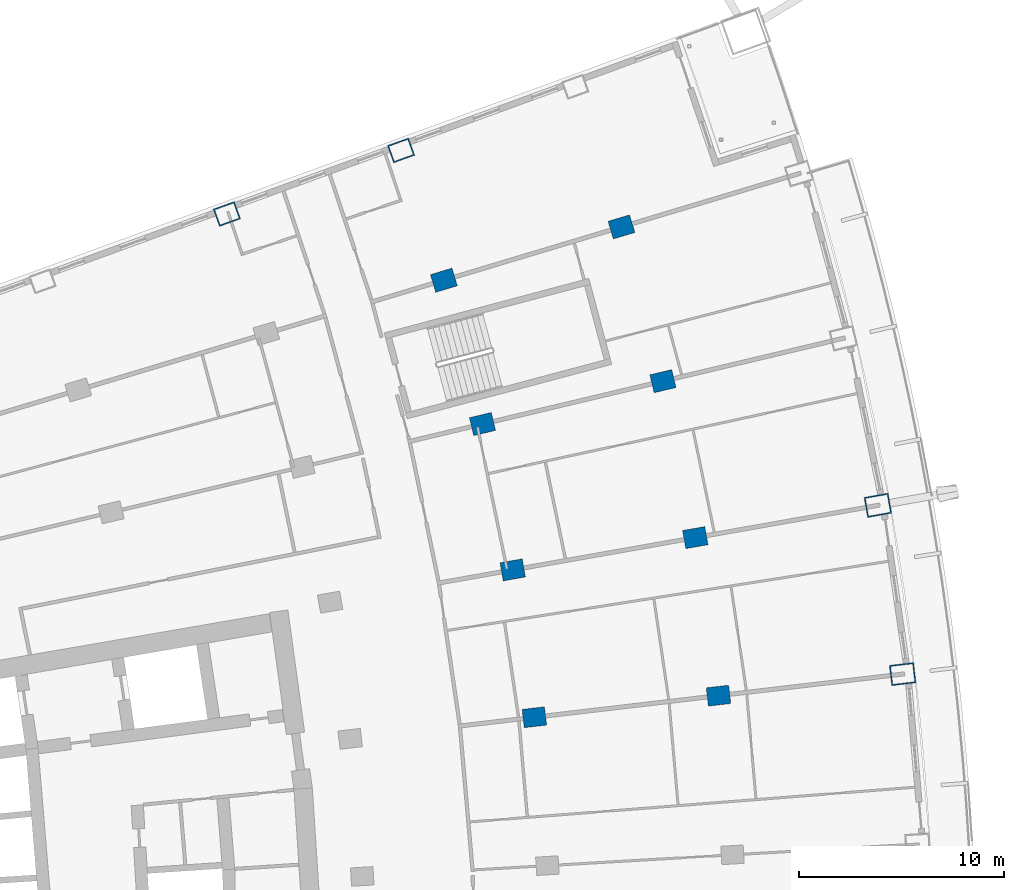
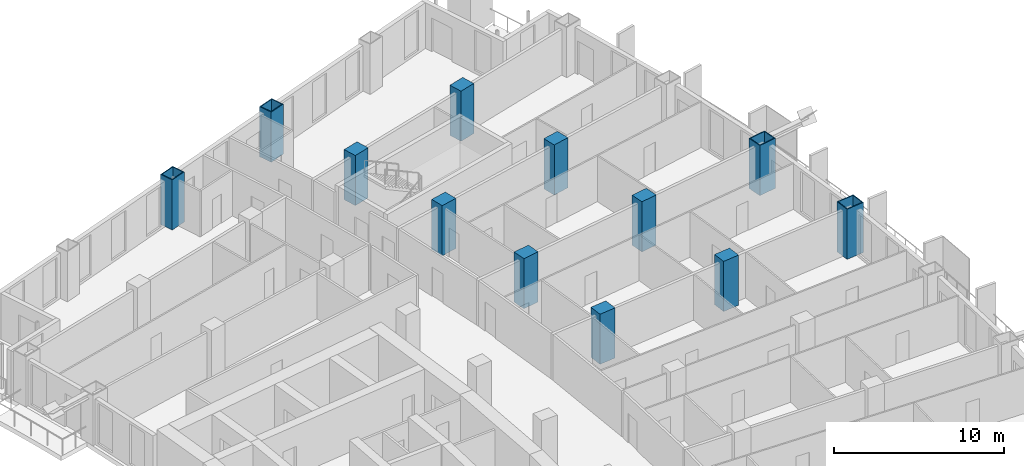
# One storey, part 7 of 22: 12 columns.
"""IFC4 building model written with IfcOpenShell, lengths in metres."""

from ifc_helpers import new_model, si_unit, direction, frame, origin, origin_2d, place, context, subcontext, project, spatial, rectangle, hollow_rectangle, extrude, material, material_profile, profile_set, type_object, element, save


model = new_model("IFC4")

# Units and contexts
model_context = context("Model", 3, precision=1e-05, world=origin(), true_north=direction((0.0, 1.0)))
body_context = subcontext(model_context, "Body", "Model", "MODEL_VIEW")
ifc_project = project(units=[si_unit("LENGTHUNIT", "METRE"), si_unit("AREAUNIT", "SQUARE_METRE"), si_unit("VOLUMEUNIT", "CUBIC_METRE"), si_unit("PLANEANGLEUNIT", "RADIAN"), si_unit("MASSUNIT", "GRAM", prefix="KILO")], contexts=[model_context])

# Site, building, storey
site_placement = place(None, origin())
site = spatial("IfcSite", under=ifc_project, at=site_placement, CompositionType="ELEMENT")
building_placement = place(site_placement, origin())
building = spatial("IfcBuilding", under=site, at=building_placement, Name="Alderwake Tower", CompositionType="ELEMENT")
storey_placement = place(building_placement, frame((0.0, 0.0, 50.0)))
storey = spatial("IfcBuildingStorey", under=building, at=storey_placement, Name="L11", CompositionType="ELEMENT", Elevation=50.0)

# Columns
ifc_material_1 = material(Name="Steel ASTM A572 Grade 50 concrete filled C70/85", Category="concrete")
ifc_material_profile_1 = material_profile(ifc_material_1, hollow_rectangle(XDim=0.89990234375, YDim=1.10009765625, WallThickness=0.06005859375, at=origin_2d()), Name="BOX 1100X900X60")
ifc_profile_set_1 = profile_set([ifc_material_profile_1], Name="Steel ASTM A572 Grade 50 concrete filled C70/85")
column_type_1 = type_object("IfcColumnType", Name="End column Z1", PredefinedType="COLUMN", material=ifc_profile_set_1)
for number, where, z_axis, x_axis, name in (
    (1, (28.983642578125, 100.143310546875, 0.0), (0.0, 0.0, 1.0), (-0.338026774049, 0.941136493834, 0.0), "Column R13-C2"),
    (2, (37.500732421875, 103.25244140625, 0.0), (0.0, 0.0, 1.0), (-0.338379907748, 0.941009584453, 0.0), "Column R13-C3"),
):
    element("IfcColumn", number, at=place(storey_placement, frame(where, z_axis=z_axis, x_axis=x_axis)), inside=storey, type_object=column_type_1, Name=name, PredefinedType="COLUMN", context=body_context, shape_type="SweptSolid", body=[
        extrude(hollow_rectangle(XDim=0.89990234375, YDim=1.10009765625, WallThickness=0.06005859375, at=origin_2d()), origin(), (0.0, 0.0, 1.0), 3.60009765625),
    ])
ifc_material_2 = material(Name="Concrete C70/85", Category="concrete")
ifc_material_profile_2 = material_profile(ifc_material_2, rectangle(XDim=0.89990234375, YDim=1.10009765625, at=origin_2d()), Name="RC 1100X900")
ifc_profile_set_2 = profile_set([ifc_material_profile_2], Name="Concrete C70/85")
column_type_2 = type_object("IfcColumnType", Name="Interior column Z1", PredefinedType="COLUMN", material=ifc_profile_set_2)
for number, where, z_axis, x_axis, name in (
    (3, (44.017822265625, 75.534912109375, 0.0), (0.0, 0.0, 1.0), (-0.116402054316, 0.993202175668, 0.0), "Column R09-C3"),
    (4, (53.022705078125, 76.590087890625, 0.0), (0.0, 0.0, 1.0), (-0.116402054316, 0.993202175668, 0.0), "Column R09-C4"),
    (5, (42.959716796875, 82.740234375, 0.0), (0.0, 0.0, 1.0), (-0.174108800747, 0.984726421654, 0.0), "Column R10-C3"),
    (6, (51.8876953125, 84.31884765625, 0.0), (0.0, 0.0, 1.0), (-0.174108800747, 0.984726421654, 0.0), "Column R10-C4"),
    (7, (41.48291015625, 89.871826171875, 0.0), (0.0, 0.0, 1.0), (-0.231221547198, 0.972901123502, 0.0), "Column R11-C3"),
    (8, (50.3037109375, 91.96826171875, 0.0), (0.0, 0.0, 1.0), (-0.231221547198, 0.972901123502, 0.0), "Column R11-C4"),
    (9, (39.593017578125, 96.9052734375, 0.0), (0.0, 0.0, 1.0), (-0.287549418125, 0.957765802342, 0.0), "Column R12-C3"),
    (10, (48.27685546875, 99.512451171875, 0.0), (0.0, 0.0, 1.0), (-0.287549418125, 0.957765802342, 0.0), "Column R12-C4"),
):
    element("IfcColumn", number, at=place(storey_placement, frame(where, z_axis=z_axis, x_axis=x_axis)), inside=storey, type_object=column_type_2, Name=name, PredefinedType="COLUMN", context=body_context, shape_type="SweptSolid", body=[
        extrude(rectangle(XDim=0.89990234375, YDim=1.10009765625, at=origin_2d()), origin(), (0.0, 0.0, 1.0), 3.60009765625),
    ])
ifc_material_3 = material(Name="Steel ASTM A572 Grade 50 concrete filled C70/85", Category="concrete")
ifc_material_profile_3 = material_profile(ifc_material_3, hollow_rectangle(XDim=1.0, YDim=1.199951171875, WallThickness=0.06005859375, at=origin_2d()), Name="BOX 1200X1000X60")
ifc_profile_set_3 = profile_set([ifc_material_profile_3], Name="Steel ASTM A572 Grade 50 concrete filled C70/85")
column_type_3 = type_object("IfcColumnType", Name="Perimeter column Z1", PredefinedType="COLUMN", material=ifc_profile_set_3)
for number, where, z_axis, x_axis, name in (
    (11, (62.02783203125, 77.6455078125, 0.0), (0.0, 0.0, 1.0), (-0.116402054316, 0.993202175668, 0.0), "Column R09-C5"),
    (12, (60.81591796875, 85.8974609375, 0.0), (0.0, 0.0, 1.0), (-0.174108800747, 0.984726421654, 0.0), "Column R10-C5"),
):
    element("IfcColumn", number, at=place(storey_placement, frame(where, z_axis=z_axis, x_axis=x_axis)), inside=storey, type_object=column_type_3, Name=name, PredefinedType="COLUMN", context=body_context, shape_type="SweptSolid", body=[
        extrude(hollow_rectangle(XDim=1.0, YDim=1.199951171875, WallThickness=0.06005859375, at=origin_2d()), origin(), (0.0, 0.0, 1.0), 3.60009765625),
    ])

save(model, "model.ifc")
